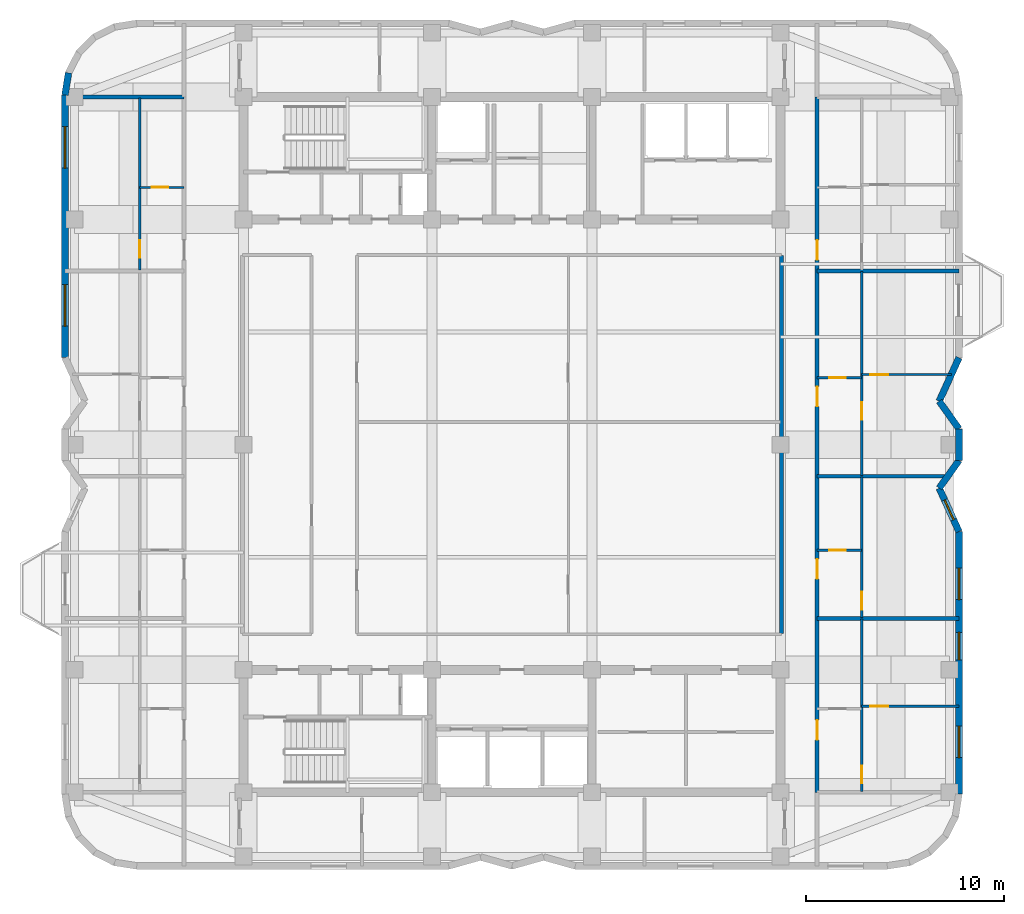
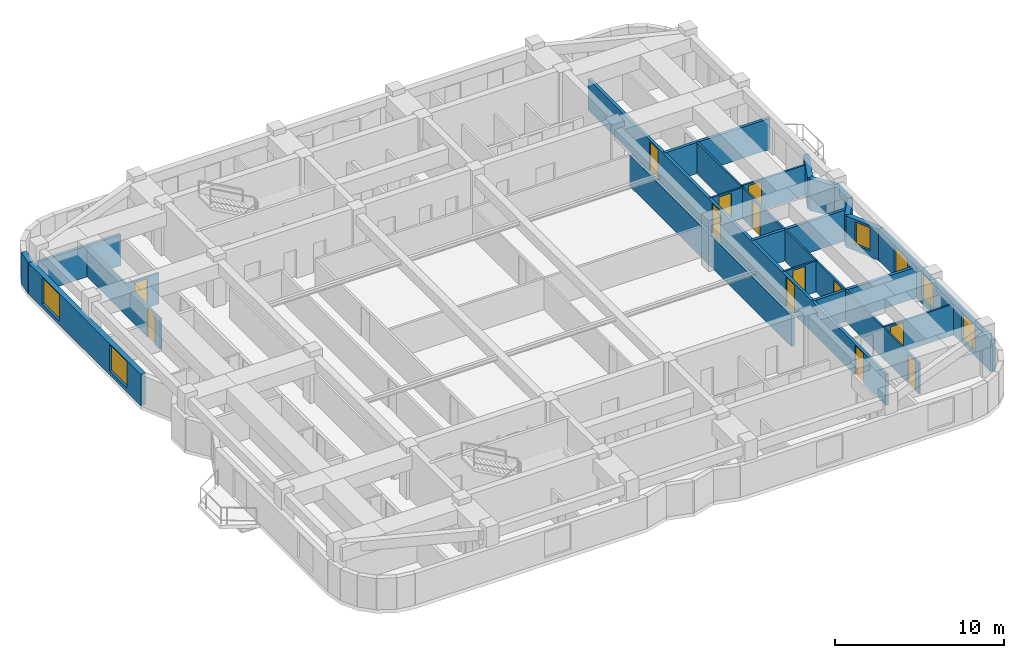
# One storey, part 5 of 9: 23 walls, 13 doors, 6 windows, 19 openings.
"""IFC4 building model written with IfcOpenShell, lengths in metres."""

from ifc_helpers import new_model, si_unit, direction, frame, frame_2d, origin, place, context, subcontext, project, spatial, rectangle, extrude, material, layer, layer_set, type_object, element, fill, save


model = new_model("IFC4")

# Units and contexts
model_context = context("Model", 3, precision=1e-05, world=origin(), true_north=direction((0.0, 1.0)))
body_context = subcontext(model_context, "Body", "Model", "MODEL_VIEW")
ifc_project = project(units=[si_unit("LENGTHUNIT", "METRE"), si_unit("AREAUNIT", "SQUARE_METRE"), si_unit("VOLUMEUNIT", "CUBIC_METRE"), si_unit("PLANEANGLEUNIT", "RADIAN"), si_unit("MASSUNIT", "GRAM", prefix="KILO")], contexts=[model_context])

# Site, building, storey
site_placement = place(None, origin())
site = spatial("IfcSite", under=ifc_project, at=site_placement, CompositionType="ELEMENT")
building_placement = place(site_placement, origin())
building = spatial("IfcBuilding", under=site, at=building_placement, Name="Svetorya Sky Lyceum", CompositionType="ELEMENT")
storey_placement = place(building_placement, frame((0.0, 0.0, 222.10009765625)))
storey = spatial("IfcBuildingStorey", under=building, at=storey_placement, Name="L55", CompositionType="ELEMENT", Elevation=222.10009765625)

# Wall, openings, windows
ifc_material_1 = material(Name="Putilovo limestone rainscreen on autoclaved cellular masonry", Category="masonry")
ifc_layer_1 = layer(ifc_material_1, 0.340087890625)
ifc_layer_set_1 = layer_set([ifc_layer_1], Name="Putilovo limestone rainscreen on autoclaved cellular masonry")
wall_type_1 = type_object("IfcWallType", Name="WL-EXT-340", PredefinedType="SOLIDWALL", material=ifc_layer_set_1)
wall_1_placement = place(storey_placement, frame((61.830078125, 10.5, 0.0), z_axis=(0.0, 0.0, 1.0), x_axis=(0.0, 1.0, 0.0)))
wall_1 = element("IfcWall", 1, at=wall_1_placement, inside=storey, type_object=wall_type_1, Name="L55 Limestone Exterior Wall 17M", PredefinedType="SOLIDWALL", context=body_context, shape_type="SweptSolid", body=[
    extrude(rectangle(XDim=13.300048828125, YDim=0.340087890625, at=frame_2d((6.64990234375, 0.0))), origin(), (0.0, 0.0, 1.0), 2.260009765625),
])
opening_1_placement = place(wall_1_placement, frame((1.85009765625, 0.0, 0.300048828125)))
opening_1 = element("IfcOpeningElement", 2, at=opening_1_placement, cuts=wall_1, Name="Opening W-R4", PredefinedType="OPENING", context=body_context, shape_type="SweptSolid", body=[
    extrude(rectangle(XDim=1.60009765625, YDim=1.89990234375, at=frame_2d((0.800048828125, 0.949951171875))), frame((0.0, 0.179931640625, 0.0), z_axis=(0.0, -1.0, 0.0), x_axis=(1.0, 0.0, 0.0)), (0.0, 0.0, 1.0), 0.360107421875),
])
opening_2_placement = place(wall_1_placement, frame((6.800048828125, 0.0, 0.35009765625)))
opening_2 = element("IfcOpeningElement", 3, at=opening_2_placement, cuts=wall_1, Name="Opening W-R2", PredefinedType="OPENING", context=body_context, shape_type="SweptSolid", body=[
    extrude(rectangle(XDim=1.39990234375, YDim=1.85009765625, at=frame_2d((0.699951171875, 0.925048828125))), frame((0.0, 0.179931640625, 0.0), z_axis=(0.0, -1.0, 0.0), x_axis=(1.0, 0.0, 0.0)), (0.0, 0.0, 1.0), 0.360107421875),
])
opening_3_placement = place(wall_1_placement, frame((9.85009765625, 0.0, 0.300048828125)))
opening_3 = element("IfcOpeningElement", 4, at=opening_3_placement, cuts=wall_1, Name="Opening W-R4", PredefinedType="OPENING", context=body_context, shape_type="SweptSolid", body=[
    extrude(rectangle(XDim=1.60009765625, YDim=1.89990234375, at=frame_2d((0.800048828125, 0.949951171875))), frame((0.0, 0.179931640625, 0.0), z_axis=(0.0, -1.0, 0.0), x_axis=(1.0, 0.0, 0.0)), (0.0, 0.0, 1.0), 0.360107421875),
])
ifc_material_2 = material(Name="Thermally broken aluminium frame with triple low-E glazing", Category="aluminium")
window_type_1 = type_object("IfcWindowType", Name="WN-RES-140", PartitioningType="SINGLE_PANEL", PredefinedType="WINDOW", material=ifc_material_2)
window_1_placement = place(opening_2_placement, origin())
window_1 = element("IfcWindow", 5, at=window_1_placement, inside=storey, type_object=window_type_1, Name="L55 Facade Window W-R2.17M.3", OverallHeight=1.85009765625, OverallWidth=1.39990234375, PartitioningType="SINGLE_PANEL", PredefinedType="WINDOW", context=body_context, shape_type="SweptSolid", body=[
    extrude(rectangle(XDim=1.39990234375, YDim=1.85009765625, at=frame_2d((0.699951171875, 0.925048828125))), frame((0.0, 0.030029296875, 0.0), z_axis=(0.0, -1.0, 0.0), x_axis=(1.0, 0.0, 0.0)), (0.0, 0.0, 1.0), 0.06005859375),
])
fill(opening_2, window_1)
window_type_2 = type_object("IfcWindowType", Name="WN-RES-160", PartitioningType="DOUBLE_PANEL_VERTICAL", PredefinedType="WINDOW", material=ifc_material_2)
window_2_placement = place(opening_1_placement, origin())
window_2 = element("IfcWindow", 6, at=window_2_placement, inside=storey, type_object=window_type_2, Name="L55 Facade Window W-R4.17M.1", OverallHeight=1.89990234375, OverallWidth=1.60009765625, PartitioningType="SINGLE_PANEL", PredefinedType="WINDOW", context=body_context, shape_type="SweptSolid", body=[
    extrude(rectangle(XDim=1.60009765625, YDim=1.89990234375, at=frame_2d((0.800048828125, 0.949951171875))), frame((0.0, 0.030029296875, 0.0), z_axis=(0.0, -1.0, 0.0), x_axis=(1.0, 0.0, 0.0)), (0.0, 0.0, 1.0), 0.06005859375),
])
fill(opening_1, window_2)
window_3_placement = place(opening_3_placement, origin())
window_3 = element("IfcWindow", 7, at=window_3_placement, inside=storey, type_object=window_type_2, Name="L55 Facade Window W-R4.17M.2", OverallHeight=1.89990234375, OverallWidth=1.60009765625, PartitioningType="SINGLE_PANEL", PredefinedType="WINDOW", context=body_context, shape_type="SweptSolid", body=[
    extrude(rectangle(XDim=1.60009765625, YDim=1.89990234375, at=frame_2d((0.800048828125, 0.949951171875))), frame((0.0, 0.030029296875, 0.0), z_axis=(0.0, -1.0, 0.0), x_axis=(1.0, 0.0, 0.0)), (0.0, 0.0, 1.0), 0.06005859375),
])
fill(opening_3, window_3)

# Wall, opening, window
wall_2_placement = place(storey_placement, frame((61.830078125, 23.800048828125, 0.0), z_axis=(0.0, 0.0, 1.0), x_axis=(-0.413810555983, 0.910363017569, 0.0)))
wall_2 = element("IfcWall", 8, at=wall_2_placement, inside=storey, type_object=wall_type_1, Name="L55 Limestone Exterior Wall 18M", PredefinedType="SOLIDWALL", context=body_context, shape_type="SweptSolid", body=[
    extrude(rectangle(XDim=2.41650390625, YDim=0.340087890625, at=frame_2d((1.208251953125, 0.0))), origin(), (0.0, 0.0, 1.0), 2.260009765625),
])
opening_4_placement = place(wall_2_placement, frame((0.658203125, 0.0, 0.449951171875)))
opening_4 = element("IfcOpeningElement", 9, at=opening_4_placement, cuts=wall_2, Name="Opening W-R3", PredefinedType="OPENING", context=body_context, shape_type="SweptSolid", body=[
    extrude(rectangle(XDim=1.10009765625, YDim=1.64990234375, at=frame_2d((0.550048828125, 0.824951171875))), frame((0.0, 0.179931640625, 0.0), z_axis=(0.0, -1.0, 0.0), x_axis=(1.0, 0.0, 0.0)), (0.0, 0.0, 1.0), 0.360107421875),
])
window_type_3 = type_object("IfcWindowType", Name="WN-RES-110", PartitioningType="SINGLE_PANEL", PredefinedType="WINDOW", material=ifc_material_2)
window_4_placement = place(opening_4_placement, origin())
window_4 = element("IfcWindow", 10, at=window_4_placement, inside=storey, type_object=window_type_3, Name="L55 Facade Window W-R3.18M.1", OverallHeight=1.64990234375, OverallWidth=1.10009765625, PartitioningType="SINGLE_PANEL", PredefinedType="WINDOW", context=body_context, shape_type="SweptSolid", body=[
    extrude(rectangle(XDim=1.10009765625, YDim=1.64990234375, at=frame_2d((0.550048828125, 0.824951171875))), frame((0.0, 0.030029296875, 0.0), z_axis=(0.0, -1.0, 0.0), x_axis=(1.0, 0.0, 0.0)), (0.0, 0.0, 1.0), 0.06005859375),
])
fill(opening_4, window_4)

# Walls
wall_3_placement = place(storey_placement, frame((60.830078125, 26.0, 0.0), z_axis=(0.0, 0.0, 1.0), x_axis=(0.581265041318, 0.813714293681, 0.0)))
element("IfcWall", 11, at=wall_3_placement, inside=storey, type_object=wall_type_1, Name="L55 Limestone Exterior Wall 19M", PredefinedType="SOLIDWALL", context=body_context, shape_type="SweptSolid", body=[
    extrude(rectangle(XDim=1.720458984375, YDim=0.340087890625, at=frame_2d((0.8603515625, 0.0))), origin(), (0.0, 0.0, 1.0), 2.260009765625),
])
wall_4_placement = place(storey_placement, frame((61.830078125, 27.39990234375, 0.0), z_axis=(0.0, 0.0, 1.0), x_axis=(0.0, 1.0, 0.0)))
element("IfcWall", 12, at=wall_4_placement, inside=storey, type_object=wall_type_1, Name="L55 Limestone Exterior Wall 20M", PredefinedType="SOLIDWALL", context=body_context, shape_type="SweptSolid", body=[
    extrude(rectangle(XDim=1.60009765625, YDim=0.340087890625, at=frame_2d((0.800048828125, 0.0))), origin(), (0.0, 0.0, 1.0), 2.260009765625),
])
wall_5_placement = place(storey_placement, frame((61.830078125, 29.0, 0.0), z_axis=(0.0, 0.0, 1.0), x_axis=(-0.581265041318, 0.813714293681, 0.0)))
element("IfcWall", 13, at=wall_5_placement, inside=storey, type_object=wall_type_1, Name="L55 Limestone Exterior Wall 21M", PredefinedType="SOLIDWALL", context=body_context, shape_type="SweptSolid", body=[
    extrude(rectangle(XDim=1.720458984375, YDim=0.340087890625, at=frame_2d((0.8603515625, 0.0))), origin(), (0.0, 0.0, 1.0), 2.260009765625),
])
wall_6_placement = place(storey_placement, frame((60.830078125, 30.39990234375, 0.0), z_axis=(0.0, 0.0, 1.0), x_axis=(0.413772500085, 0.910380315128, 0.0)))
element("IfcWall", 14, at=wall_6_placement, inside=storey, type_object=wall_type_1, Name="L55 Limestone Exterior Wall 22M", PredefinedType="SOLIDWALL", context=body_context, shape_type="SweptSolid", body=[
    extrude(rectangle(XDim=2.416748046875, YDim=0.340087890625, at=frame_2d((1.20849609375, 0.0))), origin(), (0.0, 0.0, 1.0), 2.260009765625),
])
wall_7_placement = place(storey_placement, frame((16.747802734375, 47.021728515625, 0.0), z_axis=(0.0, 0.0, 1.0), x_axis=(-0.156481329164, -0.987680916907, 0.0)))
element("IfcWall", 15, at=wall_7_placement, inside=storey, type_object=wall_type_1, Name="L55 Limestone Exterior Wall 39M", PredefinedType="SOLIDWALL", context=body_context, shape_type="SweptSolid", body=[
    extrude(rectangle(XDim=1.1357421875, YDim=0.340087890625, at=frame_2d((0.56787109375, 0.0))), origin(), (0.0, 0.0, 1.0), 2.260009765625),
])

# Wall, openings, windows
wall_8_placement = place(storey_placement, frame((16.570068359375, 45.89990234375, 0.0), z_axis=(0.0, 0.0, 1.0), x_axis=(0.0, -1.0, 0.0)))
wall_8 = element("IfcWall", 16, at=wall_8_placement, inside=storey, type_object=wall_type_1, Name="L55 Limestone Exterior Wall 40M", PredefinedType="SOLIDWALL", context=body_context, shape_type="SweptSolid", body=[
    extrude(rectangle(XDim=13.2998046875, YDim=0.340087890625, at=frame_2d((6.64990234375, 0.0))), origin(), (0.0, 0.0, 1.0), 2.260009765625),
])
opening_5_placement = place(wall_8_placement, frame((1.60009765625, 0.0, 0.300048828125)))
opening_5 = element("IfcOpeningElement", 17, at=opening_5_placement, cuts=wall_8, Name="Opening W-R0", PredefinedType="OPENING", context=body_context, shape_type="SweptSolid", body=[
    extrude(rectangle(XDim=2.10009765625, YDim=1.89990234375, at=frame_2d((1.050048828125, 0.949951171875))), frame((0.0, 0.179931640625, 0.0), z_axis=(0.0, -1.0, 0.0), x_axis=(1.0, 0.0, 0.0)), (0.0, 0.0, 1.0), 0.360107421875),
])
opening_6_placement = place(wall_8_placement, frame((9.60009765625, 0.0, 0.300048828125)))
opening_6 = element("IfcOpeningElement", 18, at=opening_6_placement, cuts=wall_8, Name="Opening W-R0", PredefinedType="OPENING", context=body_context, shape_type="SweptSolid", body=[
    extrude(rectangle(XDim=2.10009765625, YDim=1.89990234375, at=frame_2d((1.050048828125, 0.949951171875))), frame((0.0, 0.179931640625, 0.0), z_axis=(0.0, -1.0, 0.0), x_axis=(1.0, 0.0, 0.0)), (0.0, 0.0, 1.0), 0.360107421875),
])
window_type_4 = type_object("IfcWindowType", Name="WN-RES-210", PartitioningType="TRIPLE_PANEL_VERTICAL", PredefinedType="WINDOW", material=ifc_material_2)
window_5_placement = place(opening_5_placement, origin())
window_5 = element("IfcWindow", 19, at=window_5_placement, inside=storey, type_object=window_type_4, Name="L55 Facade Window W-R0.40M.1", OverallHeight=1.89990234375, OverallWidth=2.10009765625, PartitioningType="SINGLE_PANEL", PredefinedType="WINDOW", context=body_context, shape_type="SweptSolid", body=[
    extrude(rectangle(XDim=2.10009765625, YDim=1.89990234375, at=frame_2d((1.050048828125, 0.949951171875))), frame((0.0, 0.030029296875, 0.0), z_axis=(0.0, -1.0, 0.0), x_axis=(1.0, 0.0, 0.0)), (0.0, 0.0, 1.0), 0.06005859375),
])
fill(opening_5, window_5)
window_6_placement = place(opening_6_placement, origin())
window_6 = element("IfcWindow", 20, at=window_6_placement, inside=storey, type_object=window_type_4, Name="L55 Facade Window W-R0.40M.2", OverallHeight=1.89990234375, OverallWidth=2.10009765625, PartitioningType="SINGLE_PANEL", PredefinedType="WINDOW", context=body_context, shape_type="SweptSolid", body=[
    extrude(rectangle(XDim=2.10009765625, YDim=1.89990234375, at=frame_2d((1.050048828125, 0.949951171875))), frame((0.0, 0.030029296875, 0.0), z_axis=(0.0, -1.0, 0.0), x_axis=(1.0, 0.0, 0.0)), (0.0, 0.0, 1.0), 0.06005859375),
])
fill(opening_6, window_6)

# Wall, opening, door
ifc_material_3 = material(Name="Twin-stud galvanized framing with double fireboard", Category="gypsum")
ifc_layer_2 = layer(ifc_material_3, 0.1201171875)
ifc_layer_set_2 = layer_set([ifc_layer_2], Name="Twin-stud galvanized framing with double fireboard")
wall_type_2 = type_object("IfcWallType", Name="WL-PART-120", PredefinedType="PARTITIONING", material=ifc_layer_set_2)
wall_9_placement = place(storey_placement, frame((20.35009765625, 41.219970703125, 0.0), z_axis=(0.0, 0.0, 1.0), x_axis=(1.0, 0.0, 0.0)))
wall_9 = element("IfcWall", 21, at=wall_9_placement, inside=storey, type_object=wall_type_2, Name="L55 Interior Partition W4-WH1", PredefinedType="PARTITIONING", context=body_context, shape_type="SweptSolid", body=[
    extrude(rectangle(XDim=2.25, YDim=0.1201171875, at=frame_2d((1.125, 0.0))), origin(), (0.0, 0.0, 1.0), 2.239990234375),
])
opening_7_placement = place(wall_9_placement, frame((0.60009765625, 0.0, 0.0)))
opening_7 = element("IfcOpeningElement", 22, at=opening_7_placement, cuts=wall_9, Name="Opening D-BT1", PredefinedType="OPENING", context=body_context, shape_type="SweptSolid", body=[
    extrude(rectangle(XDim=0.85009765625, YDim=2.10009765625, at=frame_2d((0.425048828125, 1.050048828125))), frame((0.0, 0.070068359375, 0.0), z_axis=(0.0, -1.0, 0.0), x_axis=(1.0, 0.0, 0.0)), (0.0, 0.0, 1.0), 0.14013671875),
])
ifc_material_4 = material(Name="Moisture-resistant laminate bathroom door")
door_type_1 = type_object("IfcDoorType", Name="DR-WET-850", OperationType="SINGLE_SWING_LEFT", PredefinedType="DOOR", material=ifc_material_4)
door_1_placement = place(opening_7_placement, origin())
door_1 = element("IfcDoor", 23, at=door_1_placement, inside=storey, type_object=door_type_1, Name="Apartment W4 Bathroom Door", OperationType="SINGLE_SWING_RIGHT", OverallHeight=2.10009765625, OverallWidth=0.85009765625, PredefinedType="DOOR", context=body_context, shape_type="SweptSolid", body=[
    extrude(rectangle(XDim=0.85009765625, YDim=2.10009765625, at=frame_2d((0.425048828125, 1.050048828125))), frame((0.0, 0.02490234375, 0.0), z_axis=(0.0, -1.0, 0.0), x_axis=(1.0, 0.0, 0.0)), (0.0, 0.0, 1.0), 0.050048828125),
])
fill(opening_7, door_1)

wall_10_placement = place(storey_placement, frame((20.35009765625, 37.0400390625, 0.0), z_axis=(0.0, 0.0, 1.0), x_axis=(0.0, 1.0, 0.0)))
wall_10 = element("IfcWall", 24, at=wall_10_placement, inside=storey, type_object=wall_type_2, Name="L55 Interior Partition W4-WV", PredefinedType="PARTITIONING", context=body_context, shape_type="SweptSolid", body=[
    extrude(rectangle(XDim=8.719970703125, YDim=0.1201171875, at=frame_2d((4.35986328125, 0.0))), origin(), (0.0, 0.0, 1.0), 2.239990234375),
])
opening_8_placement = place(wall_10_placement, frame((0.610107421875, 0.0, 0.0)))
opening_8 = element("IfcOpeningElement", 25, at=opening_8_placement, cuts=wall_10, Name="Opening D-RM1", PredefinedType="OPENING", context=body_context, shape_type="SweptSolid", body=[
    extrude(rectangle(XDim=0.89990234375, YDim=2.10009765625, at=frame_2d((0.449951171875, 1.050048828125))), frame((0.0, 0.070068359375, 0.0), z_axis=(0.0, -1.0, 0.0), x_axis=(1.0, 0.0, 0.0)), (0.0, 0.0, 1.0), 0.14013671875),
])
ifc_material_5 = material(Name="Lacquered birch veneer internal door")
door_type_2 = type_object("IfcDoorType", Name="DR-INT-900", OperationType="SINGLE_SWING_LEFT", PredefinedType="DOOR", material=ifc_material_5)
door_2_placement = place(opening_8_placement, origin())
door_2 = element("IfcDoor", 26, at=door_2_placement, inside=storey, type_object=door_type_2, Name="Apartment W4 Living Door", OperationType="SINGLE_SWING_LEFT", OverallHeight=2.10009765625, OverallWidth=0.89990234375, PredefinedType="DOOR", context=body_context, shape_type="SweptSolid", body=[
    extrude(rectangle(XDim=0.89990234375, YDim=2.10009765625, at=frame_2d((0.449951171875, 1.050048828125))), frame((0.0, 0.02490234375, 0.0), z_axis=(0.0, -1.0, 0.0), x_axis=(1.0, 0.0, 0.0)), (0.0, 0.0, 1.0), 0.050048828125),
])
fill(opening_8, door_2)

wall_11_placement = place(storey_placement, frame((56.89990234375, 14.949951171875, 0.0), z_axis=(0.0, 0.0, 1.0), x_axis=(1.0, 0.0, 0.0)))
wall_11 = element("IfcWall", 27, at=wall_11_placement, inside=storey, type_object=wall_type_2, Name="L55 Interior Partition E1-WL1", PredefinedType="PARTITIONING", context=body_context, shape_type="SweptSolid", body=[
    extrude(rectangle(XDim=4.93017578125, YDim=0.1201171875, at=frame_2d((2.465087890625, 0.0))), origin(), (0.0, 0.0, 1.0), 2.239990234375),
])
opening_9_placement = place(wall_11_placement, frame((0.449951171875, 0.0, 0.0)))
opening_9 = element("IfcOpeningElement", 28, at=opening_9_placement, cuts=wall_11, Name="Opening D-RM1", PredefinedType="OPENING", context=body_context, shape_type="SweptSolid", body=[
    extrude(rectangle(XDim=0.89990234375, YDim=2.10009765625, at=frame_2d((0.449951171875, 1.050048828125))), frame((0.0, 0.070068359375, 0.0), z_axis=(0.0, -1.0, 0.0), x_axis=(1.0, 0.0, 0.0)), (0.0, 0.0, 1.0), 0.14013671875),
])
door_3_placement = place(opening_9_placement, origin())
door_3 = element("IfcDoor", 29, at=door_3_placement, inside=storey, type_object=door_type_2, Name="Apartment E1 Bedroom 1 Door", OperationType="SINGLE_SWING_RIGHT", OverallHeight=2.10009765625, OverallWidth=0.89990234375, PredefinedType="DOOR", context=body_context, shape_type="SweptSolid", body=[
    extrude(rectangle(XDim=0.89990234375, YDim=2.10009765625, at=frame_2d((0.449951171875, 1.050048828125))), frame((0.0, 0.02490234375, 0.0), z_axis=(0.0, -1.0, 0.0), x_axis=(1.0, 0.0, 0.0)), (0.0, 0.0, 1.0), 0.050048828125),
])
fill(opening_9, door_3)

wall_12_placement = place(storey_placement, frame((56.89990234375, 10.639892578125, 0.0), z_axis=(0.0, 0.0, 1.0), x_axis=(0.0, 1.0, 0.0)))
wall_12 = element("IfcWall", 30, at=wall_12_placement, inside=storey, type_object=wall_type_2, Name="L55 Interior Partition E1-WV", PredefinedType="PARTITIONING", context=body_context, shape_type="SweptSolid", body=[
    extrude(rectangle(XDim=8.72021484375, YDim=0.1201171875, at=frame_2d((4.360107421875, 0.0))), origin(), (0.0, 0.0, 1.0), 2.239990234375),
])
opening_10_placement = place(wall_12_placement, frame((0.409912109375, 0.0, 0.0)))
opening_10 = element("IfcOpeningElement", 31, at=opening_10_placement, cuts=wall_12, Name="Opening D-RM1", PredefinedType="OPENING", context=body_context, shape_type="SweptSolid", body=[
    extrude(rectangle(XDim=0.89990234375, YDim=2.10009765625, at=frame_2d((0.449951171875, 1.050048828125))), frame((0.0, 0.070068359375, 0.0), z_axis=(0.0, -1.0, 0.0), x_axis=(1.0, 0.0, 0.0)), (0.0, 0.0, 1.0), 0.14013671875),
])
door_4_placement = place(opening_10_placement, origin())
door_4 = element("IfcDoor", 32, at=door_4_placement, inside=storey, type_object=door_type_2, Name="Apartment E1 Living Door", OperationType="SINGLE_SWING_LEFT", OverallHeight=2.10009765625, OverallWidth=0.89990234375, PredefinedType="DOOR", context=body_context, shape_type="SweptSolid", body=[
    extrude(rectangle(XDim=0.89990234375, YDim=2.10009765625, at=frame_2d((0.449951171875, 1.050048828125))), frame((0.0, 0.02490234375, 0.0), z_axis=(0.0, -1.0, 0.0), x_axis=(1.0, 0.0, 0.0)), (0.0, 0.0, 1.0), 0.050048828125),
])
fill(opening_10, door_4)

wall_13_placement = place(storey_placement, frame((54.64990234375, 22.860107421875, 0.0), z_axis=(0.0, 0.0, 1.0), x_axis=(1.0, 0.0, 0.0)))
wall_13 = element("IfcWall", 33, at=wall_13_placement, inside=storey, type_object=wall_type_2, Name="L55 Interior Partition E2-WH1", PredefinedType="PARTITIONING", context=body_context, shape_type="SweptSolid", body=[
    extrude(rectangle(XDim=2.25, YDim=0.1201171875, at=frame_2d((1.125, 0.0))), origin(), (0.0, 0.0, 1.0), 2.239990234375),
])
opening_11_placement = place(wall_13_placement, frame((0.60009765625, 0.0, 0.0)))
opening_11 = element("IfcOpeningElement", 34, at=opening_11_placement, cuts=wall_13, Name="Opening D-BT1", PredefinedType="OPENING", context=body_context, shape_type="SweptSolid", body=[
    extrude(rectangle(XDim=0.85009765625, YDim=2.10009765625, at=frame_2d((0.425048828125, 1.050048828125))), frame((0.0, 0.070068359375, 0.0), z_axis=(0.0, -1.0, 0.0), x_axis=(1.0, 0.0, 0.0)), (0.0, 0.0, 1.0), 0.14013671875),
])
door_5_placement = place(opening_11_placement, origin())
door_5 = element("IfcDoor", 35, at=door_5_placement, inside=storey, type_object=door_type_1, Name="Apartment E2 Bathroom Door", OperationType="SINGLE_SWING_LEFT", OverallHeight=2.10009765625, OverallWidth=0.85009765625, PredefinedType="DOOR", context=body_context, shape_type="SweptSolid", body=[
    extrude(rectangle(XDim=0.85009765625, YDim=2.10009765625, at=frame_2d((0.425048828125, 1.050048828125))), frame((0.0, 0.02490234375, 0.0), z_axis=(0.0, -1.0, 0.0), x_axis=(1.0, 0.0, 0.0)), (0.0, 0.0, 1.0), 0.050048828125),
])
fill(opening_11, door_5)

wall_14_placement = place(storey_placement, frame((56.89990234375, 19.43994140625, 0.0), z_axis=(0.0, 0.0, 1.0), x_axis=(0.0, 1.0, 0.0)))
wall_14 = element("IfcWall", 36, at=wall_14_placement, inside=storey, type_object=wall_type_2, Name="L55 Interior Partition E2-WV", PredefinedType="PARTITIONING", context=body_context, shape_type="SweptSolid", body=[
    extrude(rectangle(XDim=7.1201171875, YDim=0.1201171875, at=frame_2d((3.56005859375, 0.0))), origin(), (0.0, 0.0, 1.0), 2.239990234375),
])
opening_12_placement = place(wall_14_placement, frame((0.409912109375, 0.0, 0.0)))
opening_12 = element("IfcOpeningElement", 37, at=opening_12_placement, cuts=wall_14, Name="Opening D-RM1", PredefinedType="OPENING", context=body_context, shape_type="SweptSolid", body=[
    extrude(rectangle(XDim=0.89990234375, YDim=2.10009765625, at=frame_2d((0.449951171875, 1.050048828125))), frame((0.0, 0.070068359375, 0.0), z_axis=(0.0, -1.0, 0.0), x_axis=(1.0, 0.0, 0.0)), (0.0, 0.0, 1.0), 0.14013671875),
])
door_6_placement = place(opening_12_placement, origin())
door_6 = element("IfcDoor", 38, at=door_6_placement, inside=storey, type_object=door_type_2, Name="Apartment E2 Living Door", OperationType="SINGLE_SWING_RIGHT", OverallHeight=2.10009765625, OverallWidth=0.89990234375, PredefinedType="DOOR", context=body_context, shape_type="SweptSolid", body=[
    extrude(rectangle(XDim=0.89990234375, YDim=2.10009765625, at=frame_2d((0.449951171875, 1.050048828125))), frame((0.0, 0.02490234375, 0.0), z_axis=(0.0, -1.0, 0.0), x_axis=(1.0, 0.0, 0.0)), (0.0, 0.0, 1.0), 0.050048828125),
])
fill(opening_12, door_6)

wall_15_placement = place(storey_placement, frame((54.64990234375, 31.590087890625, 0.0), z_axis=(0.0, 0.0, 1.0), x_axis=(1.0, 0.0, 0.0)))
wall_15 = element("IfcWall", 39, at=wall_15_placement, inside=storey, type_object=wall_type_2, Name="L55 Interior Partition E3-WH1", PredefinedType="PARTITIONING", context=body_context, shape_type="SweptSolid", body=[
    extrude(rectangle(XDim=2.25, YDim=0.1201171875, at=frame_2d((1.125, 0.0))), origin(), (0.0, 0.0, 1.0), 2.239990234375),
])
opening_13_placement = place(wall_15_placement, frame((0.60009765625, 0.0, 0.0)))
opening_13 = element("IfcOpeningElement", 40, at=opening_13_placement, cuts=wall_15, Name="Opening D-BT1", PredefinedType="OPENING", context=body_context, shape_type="SweptSolid", body=[
    extrude(rectangle(XDim=0.85009765625, YDim=2.10009765625, at=frame_2d((0.425048828125, 1.050048828125))), frame((0.0, 0.070068359375, 0.0), z_axis=(0.0, -1.0, 0.0), x_axis=(1.0, 0.0, 0.0)), (0.0, 0.0, 1.0), 0.14013671875),
])
door_7_placement = place(opening_13_placement, origin())
door_7 = element("IfcDoor", 41, at=door_7_placement, inside=storey, type_object=door_type_1, Name="Apartment E3 Bathroom Door", OperationType="SINGLE_SWING_RIGHT", OverallHeight=2.10009765625, OverallWidth=0.85009765625, PredefinedType="DOOR", context=body_context, shape_type="SweptSolid", body=[
    extrude(rectangle(XDim=0.85009765625, YDim=2.10009765625, at=frame_2d((0.425048828125, 1.050048828125))), frame((0.0, 0.02490234375, 0.0), z_axis=(0.0, -1.0, 0.0), x_axis=(1.0, 0.0, 0.0)), (0.0, 0.0, 1.0), 0.050048828125),
])
fill(opening_13, door_7)

wall_16_placement = place(storey_placement, frame((56.89990234375, 31.75, 0.0), z_axis=(0.0, 0.0, 1.0), x_axis=(1.0, 0.0, 0.0)))
wall_16 = element("IfcWall", 42, at=wall_16_placement, inside=storey, type_object=wall_type_2, Name="L55 Interior Partition E3-WL1", PredefinedType="PARTITIONING", context=body_context, shape_type="SweptSolid", body=[
    extrude(rectangle(XDim=4.543701171875, YDim=0.1201171875, at=frame_2d((2.27197265625, 0.0))), origin(), (0.0, 0.0, 1.0), 2.239990234375),
])
opening_14_placement = place(wall_16_placement, frame((0.449951171875, 0.0, 0.0)))
opening_14 = element("IfcOpeningElement", 43, at=opening_14_placement, cuts=wall_16, Name="Opening D-RM1", PredefinedType="OPENING", context=body_context, shape_type="SweptSolid", body=[
    extrude(rectangle(XDim=0.89990234375, YDim=2.10009765625, at=frame_2d((0.449951171875, 1.050048828125))), frame((0.0, 0.070068359375, 0.0), z_axis=(0.0, -1.0, 0.0), x_axis=(1.0, 0.0, 0.0)), (0.0, 0.0, 1.0), 0.14013671875),
])
door_8_placement = place(opening_14_placement, origin())
door_8 = element("IfcDoor", 44, at=door_8_placement, inside=storey, type_object=door_type_2, Name="Apartment E3 Bedroom 1 Door", OperationType="SINGLE_SWING_RIGHT", OverallHeight=2.10009765625, OverallWidth=0.89990234375, PredefinedType="DOOR", context=body_context, shape_type="SweptSolid", body=[
    extrude(rectangle(XDim=0.89990234375, YDim=2.10009765625, at=frame_2d((0.449951171875, 1.050048828125))), frame((0.0, 0.02490234375, 0.0), z_axis=(0.0, -1.0, 0.0), x_axis=(1.0, 0.0, 0.0)), (0.0, 0.0, 1.0), 0.050048828125),
])
fill(opening_14, door_8)

wall_17_placement = place(storey_placement, frame((56.89990234375, 26.639892578125, 0.0), z_axis=(0.0, 0.0, 1.0), x_axis=(0.0, 1.0, 0.0)))
wall_17 = element("IfcWall", 45, at=wall_17_placement, inside=storey, type_object=wall_type_2, Name="L55 Interior Partition E3-WV", PredefinedType="PARTITIONING", context=body_context, shape_type="SweptSolid", body=[
    extrude(rectangle(XDim=10.320068359375, YDim=0.1201171875, at=frame_2d((5.16015625, 0.0))), origin(), (0.0, 0.0, 1.0), 2.239990234375),
])
opening_15_placement = place(wall_17_placement, frame((2.81005859375, 0.0, 0.0)))
opening_15 = element("IfcOpeningElement", 46, at=opening_15_placement, cuts=wall_17, Name="Opening D-RM1", PredefinedType="OPENING", context=body_context, shape_type="SweptSolid", body=[
    extrude(rectangle(XDim=0.89990234375, YDim=2.10009765625, at=frame_2d((0.449951171875, 1.050048828125))), frame((0.0, 0.070068359375, 0.0), z_axis=(0.0, -1.0, 0.0), x_axis=(1.0, 0.0, 0.0)), (0.0, 0.0, 1.0), 0.14013671875),
])
door_9_placement = place(opening_15_placement, origin())
door_9 = element("IfcDoor", 47, at=door_9_placement, inside=storey, type_object=door_type_2, Name="Apartment E3 Living Door", OperationType="SINGLE_SWING_LEFT", OverallHeight=2.10009765625, OverallWidth=0.89990234375, PredefinedType="DOOR", context=body_context, shape_type="SweptSolid", body=[
    extrude(rectangle(XDim=0.89990234375, YDim=2.10009765625, at=frame_2d((0.449951171875, 1.050048828125))), frame((0.0, 0.02490234375, 0.0), z_axis=(0.0, -1.0, 0.0), x_axis=(1.0, 0.0, 0.0)), (0.0, 0.0, 1.0), 0.050048828125),
])
fill(opening_15, door_9)

# Walls
ifc_material_6 = material(Name="Autoclaved cellular masonry blockwork with gypsum plaster", Category="masonry")
ifc_layer_3 = layer(ifc_material_6, 0.199951171875)
ifc_layer_set_3 = layer_set([ifc_layer_3], Name="Autoclaved cellular masonry blockwork with gypsum plaster")
wall_type_3 = type_object("IfcWallType", Name="WL-PART-200", PredefinedType="PARTITIONING", material=ifc_layer_set_3)
wall_18_placement = place(storey_placement, frame((52.85009765625, 18.6298828125, 0.0), z_axis=(0.0, 0.0, 1.0), x_axis=(0.0, 1.0, 0.0)))
element("IfcWall", 48, at=wall_18_placement, inside=storey, type_object=wall_type_3, Name="L55 Interior Partition E-CEN-SEP", PredefinedType="PARTITIONING", context=body_context, shape_type="SweptSolid", body=[
    extrude(rectangle(XDim=19.14013671875, YDim=0.199951171875, at=frame_2d((9.570068359375, 0.0))), origin(), (0.0, 0.0, 1.0), 2.239990234375),
])
wall_19_placement = place(storey_placement, frame((16.989990234375, 45.800048828125, 0.0), z_axis=(0.0, 0.0, 1.0), x_axis=(1.0, 0.0, 0.0)))
element("IfcWall", 49, at=wall_19_placement, inside=storey, type_object=wall_type_3, Name="L55 Interior Partition W-CAP-N", PredefinedType="PARTITIONING", context=body_context, shape_type="SweptSolid", body=[
    extrude(rectangle(XDim=5.610107421875, YDim=0.199951171875, at=frame_2d((2.80517578125, 0.0))), origin(), (0.0, 0.0, 1.0), 2.239990234375),
])
wall_20_placement = place(storey_placement, frame((54.64990234375, 19.39990234375, 0.0), z_axis=(0.0, 0.0, 1.0), x_axis=(1.0, 0.0, 0.0)))
element("IfcWall", 50, at=wall_20_placement, inside=storey, type_object=wall_type_3, Name="L55 Interior Partition E-PARTY-1", PredefinedType="PARTITIONING", context=body_context, shape_type="SweptSolid", body=[
    extrude(rectangle(XDim=7.18017578125, YDim=0.199951171875, at=frame_2d((3.590087890625, 0.0))), origin(), (0.0, 0.0, 1.0), 2.239990234375),
])
wall_21_placement = place(storey_placement, frame((54.64990234375, 26.60009765625, 0.0), z_axis=(0.0, 0.0, 1.0), x_axis=(1.0, 0.0, 0.0)))
element("IfcWall", 51, at=wall_21_placement, inside=storey, type_object=wall_type_3, Name="L55 Interior Partition E-PARTY-2", PredefinedType="PARTITIONING", context=body_context, shape_type="SweptSolid", body=[
    extrude(rectangle(XDim=6.608642578125, YDim=0.199951171875, at=frame_2d((3.30419921875, 0.0))), origin(), (0.0, 0.0, 1.0), 2.239990234375),
])
wall_22_placement = place(storey_placement, frame((54.64990234375, 37.0, 0.0), z_axis=(0.0, 0.0, 1.0), x_axis=(1.0, 0.0, 0.0)))
element("IfcWall", 52, at=wall_22_placement, inside=storey, type_object=wall_type_3, Name="L55 Interior Partition E-PARTY-3", PredefinedType="PARTITIONING", context=body_context, shape_type="SweptSolid", body=[
    extrude(rectangle(XDim=7.18017578125, YDim=0.199951171875, at=frame_2d((3.590087890625, 0.0))), origin(), (0.0, 0.0, 1.0), 2.239990234375),
])

# Wall, openings, doors
wall_23_placement = place(storey_placement, frame((54.64990234375, 10.60009765625, 0.0), z_axis=(0.0, 0.0, 1.0), x_axis=(0.0, 1.0, 0.0)))
wall_23 = element("IfcWall", 53, at=wall_23_placement, inside=storey, type_object=wall_type_3, Name="L55 Interior Partition E-CORRW", PredefinedType="PARTITIONING", context=body_context, shape_type="SweptSolid", body=[
    extrude(rectangle(XDim=35.199951171875, YDim=0.199951171875, at=frame_2d((17.60009765625, 0.0))), origin(), (0.0, 0.0, 1.0), 2.239990234375),
])
opening_16_placement = place(wall_23_placement, frame((2.64990234375, 0.0, 0.0)))
opening_16 = element("IfcOpeningElement", 54, at=opening_16_placement, cuts=wall_23, Name="Opening D-APT1", PredefinedType="OPENING", context=body_context, shape_type="SweptSolid", body=[
    extrude(rectangle(XDim=1.0, YDim=2.14990234375, at=frame_2d((0.5, 1.074951171875))), frame((0.0, 0.10986328125, 0.0), z_axis=(0.0, -1.0, 0.0), x_axis=(1.0, 0.0, 0.0)), (0.0, 0.0, 1.0), 0.219970703125),
])
opening_17_placement = place(wall_23_placement, frame((10.81005859375, 0.0, 0.0)))
opening_17 = element("IfcOpeningElement", 55, at=opening_17_placement, cuts=wall_23, Name="Opening D-APT1", PredefinedType="OPENING", context=body_context, shape_type="SweptSolid", body=[
    extrude(rectangle(XDim=1.0, YDim=2.14990234375, at=frame_2d((0.5, 1.074951171875))), frame((0.0, 0.10986328125, 0.0), z_axis=(0.0, -1.0, 0.0), x_axis=(1.0, 0.0, 0.0)), (0.0, 0.0, 1.0), 0.219970703125),
])
opening_18_placement = place(wall_23_placement, frame((19.5400390625, 0.0, 0.0)))
opening_18 = element("IfcOpeningElement", 56, at=opening_18_placement, cuts=wall_23, Name="Opening D-APT1", PredefinedType="OPENING", context=body_context, shape_type="SweptSolid", body=[
    extrude(rectangle(XDim=1.0, YDim=2.14990234375, at=frame_2d((0.5, 1.074951171875))), frame((0.0, 0.10986328125, 0.0), z_axis=(0.0, -1.0, 0.0), x_axis=(1.0, 0.0, 0.0)), (0.0, 0.0, 1.0), 0.219970703125),
])
opening_19_placement = place(wall_23_placement, frame((26.949951171875, 0.0, 0.0)))
opening_19 = element("IfcOpeningElement", 57, at=opening_19_placement, cuts=wall_23, Name="Opening D-APT1", PredefinedType="OPENING", context=body_context, shape_type="SweptSolid", body=[
    extrude(rectangle(XDim=1.0, YDim=2.14990234375, at=frame_2d((0.5, 1.074951171875))), frame((0.0, 0.10986328125, 0.0), z_axis=(0.0, -1.0, 0.0), x_axis=(1.0, 0.0, 0.0)), (0.0, 0.0, 1.0), 0.219970703125),
])
ifc_material_7 = material(Name="Insulated oak-veneered apartment entrance door")
door_type_3 = type_object("IfcDoorType", Name="DR-APT-1000", OperationType="SINGLE_SWING_LEFT", PredefinedType="DOOR", material=ifc_material_7)
door_10_placement = place(opening_16_placement, origin())
door_10 = element("IfcDoor", 58, at=door_10_placement, inside=storey, type_object=door_type_3, Name="L55 Apartment E1 Entrance Door", OperationType="SINGLE_SWING_RIGHT", OverallHeight=2.14990234375, OverallWidth=1.0, PredefinedType="DOOR", context=body_context, shape_type="SweptSolid", body=[
    extrude(rectangle(XDim=1.0, YDim=2.14990234375, at=frame_2d((0.5, 1.074951171875))), frame((0.0, 0.02490234375, 0.0), z_axis=(0.0, -1.0, 0.0), x_axis=(1.0, 0.0, 0.0)), (0.0, 0.0, 1.0), 0.050048828125),
])
fill(opening_16, door_10)
door_11_placement = place(opening_17_placement, origin())
door_11 = element("IfcDoor", 59, at=door_11_placement, inside=storey, type_object=door_type_3, Name="L55 Apartment E2 Entrance Door", OperationType="SINGLE_SWING_LEFT", OverallHeight=2.14990234375, OverallWidth=1.0, PredefinedType="DOOR", context=body_context, shape_type="SweptSolid", body=[
    extrude(rectangle(XDim=1.0, YDim=2.14990234375, at=frame_2d((0.5, 1.074951171875))), frame((0.0, 0.02490234375, 0.0), z_axis=(0.0, -1.0, 0.0), x_axis=(1.0, 0.0, 0.0)), (0.0, 0.0, 1.0), 0.050048828125),
])
fill(opening_17, door_11)
door_12_placement = place(opening_18_placement, origin())
door_12 = element("IfcDoor", 60, at=door_12_placement, inside=storey, type_object=door_type_3, Name="L55 Apartment E3 Entrance Door", OperationType="SINGLE_SWING_RIGHT", OverallHeight=2.14990234375, OverallWidth=1.0, PredefinedType="DOOR", context=body_context, shape_type="SweptSolid", body=[
    extrude(rectangle(XDim=1.0, YDim=2.14990234375, at=frame_2d((0.5, 1.074951171875))), frame((0.0, 0.02490234375, 0.0), z_axis=(0.0, -1.0, 0.0), x_axis=(1.0, 0.0, 0.0)), (0.0, 0.0, 1.0), 0.050048828125),
])
fill(opening_18, door_12)
door_13_placement = place(opening_19_placement, origin())
door_13 = element("IfcDoor", 61, at=door_13_placement, inside=storey, type_object=door_type_3, Name="L55 Apartment E4 Entrance Door", OperationType="SINGLE_SWING_LEFT", OverallHeight=2.14990234375, OverallWidth=1.0, PredefinedType="DOOR", context=body_context, shape_type="SweptSolid", body=[
    extrude(rectangle(XDim=1.0, YDim=2.14990234375, at=frame_2d((0.5, 1.074951171875))), frame((0.0, 0.02490234375, 0.0), z_axis=(0.0, -1.0, 0.0), x_axis=(1.0, 0.0, 0.0)), (0.0, 0.0, 1.0), 0.050048828125),
])
fill(opening_19, door_13)

save(model, "model.ifc")
